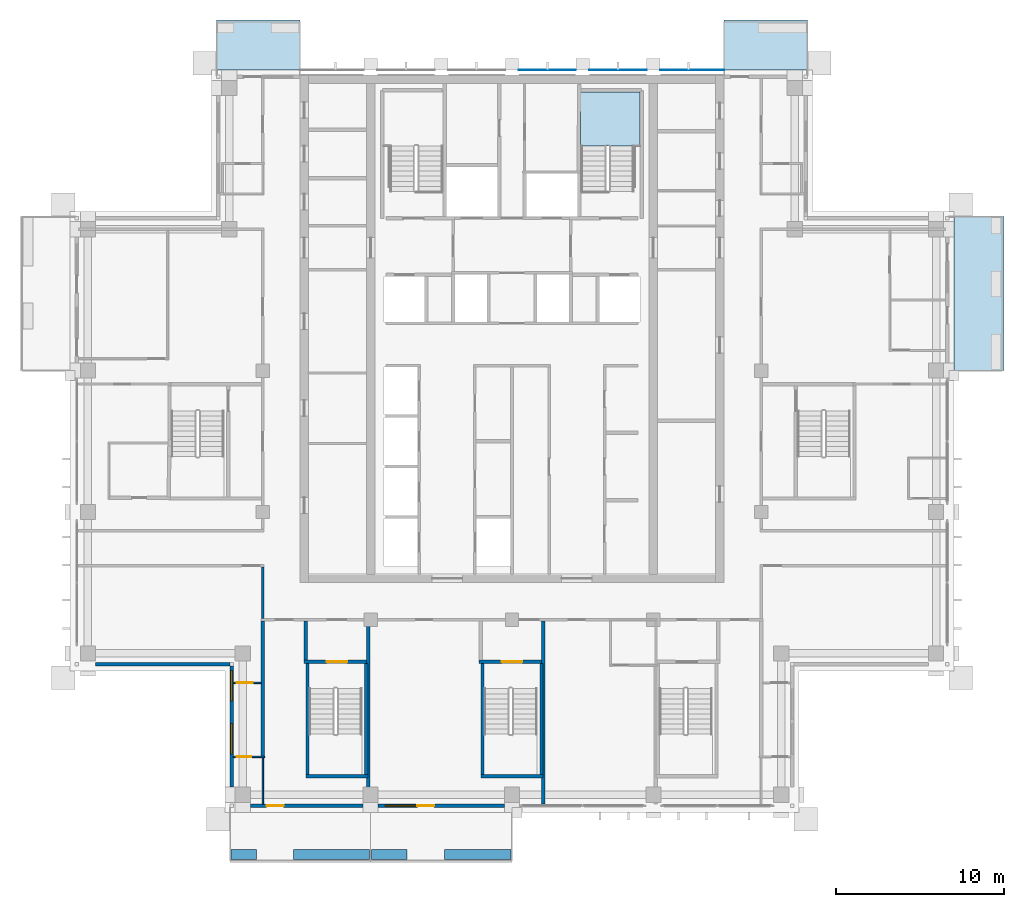
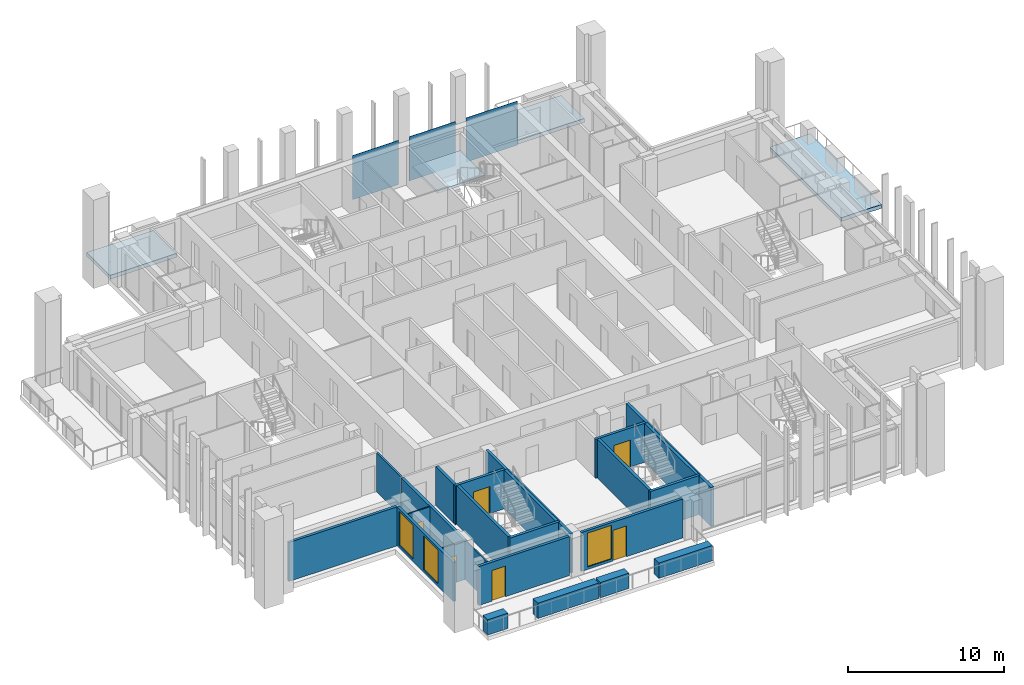
# One storey, part 6 of 16: 24 walls, 6 doors, 4 slabs, 3 plates, 3 windows, 9 openings, 1 element without a shape of its own.
"""IFC4 building model written with IfcOpenShell, lengths in metres."""

from ifc_helpers import new_model, si_unit, direction, frame, frame_2d, origin, origin_2d, place, context, subcontext, project, spatial, polyline, rectangle, outline, extrude, material, layer, layer_set, type_object, element, fill, aggregate, save


model = new_model("IFC4")

# Units and contexts
model_context = context("Model", 3, precision=1e-05, world=origin(), true_north=direction((0.0, 1.0)))
body_context = subcontext(model_context, "Body", "Model", "MODEL_VIEW")
ifc_project = project(units=[si_unit("LENGTHUNIT", "METRE"), si_unit("AREAUNIT", "SQUARE_METRE"), si_unit("VOLUMEUNIT", "CUBIC_METRE"), si_unit("PLANEANGLEUNIT", "RADIAN"), si_unit("MASSUNIT", "GRAM", prefix="KILO")], contexts=[model_context])

# Site, building, storey
site_placement = place(None, origin())
site = spatial("IfcSite", under=ifc_project, at=site_placement, CompositionType="ELEMENT")
building_placement = place(site_placement, origin())
building = spatial("IfcBuilding", under=site, at=building_placement, Name="Vermilion Ogive Tower", CompositionType="ELEMENT")
storey_placement = place(building_placement, frame((0.0, 0.0, 233.800048828125)))
storey = spatial("IfcBuildingStorey", under=building, at=storey_placement, Name="L61", CompositionType="ELEMENT", Elevation=233.800048828125)

# Slabs
ifc_material_1 = material(Name="Concrete B40", Category="concrete")
ifc_layer_1 = layer(ifc_material_1, 0.300048828125)
ifc_layer_set_1 = layer_set([ifc_layer_1], Name="Balcony slab")
slab_type_1 = type_object("IfcSlabType", Name="Balcony slab", PredefinedType="FLOOR", material=ifc_layer_set_1)
slab_1_placement = place(storey_placement, frame((0.0, 0.0, -0.340087890625)))
element("IfcSlab", 1, at=slab_1_placement, inside=storey, type_object=slab_type_1, Name="Balcony slab E03", PredefinedType="FLOOR", context=body_context, shape_type="SweptSolid", body=[
    extrude(outline(polyline([(29.22998046875, 4.199951171875), (29.22998046875, 13.35009765625), (26.25, 13.35009765625), (26.25, 4.199951171875), (29.22998046875, 4.199951171875)])), origin(), (0.0, 0.0, 1.0), 0.300048828125),
])
slab_2_placement = place(storey_placement, frame((0.0, 0.0, -0.340087890625)))
element("IfcSlab", 2, at=slab_2_placement, inside=storey, type_object=slab_type_1, Name="Balcony slab N101", PredefinedType="FLOOR", context=body_context, shape_type="SweptSolid", body=[
    extrude(outline(polyline([(17.550048828125, 25.030029296875), (12.60009765625, 25.030029296875), (12.60009765625, 22.050048828125), (17.550048828125, 22.050048828125), (17.550048828125, 25.030029296875)])), origin(), (0.0, 0.0, 1.0), 0.300048828125),
])
slab_3_placement = place(storey_placement, frame((0.0, 0.0, -0.340087890625)))
element("IfcSlab", 3, at=slab_3_placement, inside=storey, type_object=slab_type_1, Name="Balcony slab N201", PredefinedType="FLOOR", context=body_context, shape_type="SweptSolid", body=[
    extrude(outline(polyline([(-12.60009765625, 25.030029296875), (-17.550048828125, 25.030029296875), (-17.550048828125, 22.050048828125), (-12.60009765625, 22.050048828125), (-12.60009765625, 25.030029296875)])), origin(), (0.0, 0.0, 1.0), 0.300048828125),
])

# Plates
ifc_material_2 = material(Name="Low-iron laminated glazing in aluminium frame", Category="aluminium")
ifc_layer_2 = layer(ifc_material_2, 0.031982421875)
ifc_layer_set_2 = layer_set([ifc_layer_2], Name="Glazed rainscreen sheet 32")
plate_type = type_object("IfcPlateType", Name="Glazed rainscreen sheet 32", PredefinedType="SHEET", material=ifc_layer_set_2)
for number, where, z_axis, x_axis, name in (
    (4, (2.10009765625, 22.06591796875, -0.39990234375), (0.0, 0.0, 1.0), (1.0, 0.0, 0.0), "Glazed rainscreen sheet N4"),
    (5, (6.300048828125, 22.06591796875, -0.39990234375), (0.0, 0.0, 1.0), (1.0, 0.0, 0.0), "Glazed rainscreen sheet N5"),
):
    element("IfcPlate", number, at=place(storey_placement, frame(where, z_axis=z_axis, x_axis=x_axis)), inside=storey, type_object=plate_type, Name=name, PredefinedType="SHEET", context=body_context, shape_type="SweptSolid", body=[
        extrude(rectangle(XDim=3.39990234375, YDim=0.031982421875, at=origin_2d()), origin(), (0.0, 0.0, 1.0), 3.449951171875),
    ])
plate_placement = place(storey_placement, frame((10.7099609375, 22.06591796875, -0.39990234375), z_axis=(0.0, 0.0, 1.0), x_axis=(1.0, 0.0, 0.0)))
element("IfcPlate", 6, at=plate_placement, inside=storey, type_object=plate_type, Name="Glazed rainscreen sheet N6", PredefinedType="SHEET", context=body_context, shape_type="SweptSolid", body=[
    extrude(rectangle(XDim=3.820068359375, YDim=0.031982421875, at=origin_2d()), origin(), (0.0, 0.0, 1.0), 3.449951171875),
])

# Stair, slab
ifc_material_3 = material(Name="Concrete B40", Category="concrete")
stair_type = type_object("IfcStairType", Name="Exit stair 1500", PredefinedType="HALF_TURN_STAIR", material=ifc_material_3)
stair_placement = place(storey_placement, origin())
stair = element("IfcStair", 7, at=stair_placement, inside=storey, type_object=stair_type, Name="L61 Exit Stair ST2", PredefinedType="HALF_TURN_STAIR")
ifc_material_4 = material(Name="Concrete B40", Category="concrete")
ifc_layer_3 = layer(ifc_material_4, 0.199951171875)
ifc_layer_set_3 = layer_set([ifc_layer_3], Name="Stair landing 200")
slab_type_2 = type_object("IfcSlabType", Name="Stair landing 200", PredefinedType="LANDING", material=ifc_layer_set_3)
slab_4_placement = place(storey_placement, frame((0.0, 0.0, 1.52490234375)))
slab_4 = element("IfcSlab", 8, at=slab_4_placement, type_object=slab_type_2, Name="ST2 landing 1", PredefinedType="LANDING", context=body_context, shape_type="SweptSolid", body=[
    extrude(outline(polyline([(5.60009765625, 17.550048828125), (5.75, 17.550048828125), (5.75, 17.548095703125), (7.25, 17.548095703125), (7.25, 17.550048828125), (7.60009765625, 17.550048828125), (7.60009765625, 20.75), (4.074951171875, 20.75), (4.074951171875, 17.550048828125), (4.10009765625, 17.550048828125), (4.10009765625, 17.548095703125), (5.60009765625, 17.548095703125), (5.60009765625, 17.550048828125)])), origin(), (0.0, 0.0, 1.0), 0.199951171875),
])
aggregate(stair, [slab_4])

# Wall, opening, door
ifc_material_5 = material(Name="Gypsum board partition on steel studs", Category="steel")
ifc_layer_4 = layer(ifc_material_5, 0.10009765625)
ifc_layer_set_4 = layer_set([ifc_layer_4], Name="Partition 100 bath")
wall_type_1 = type_object("IfcWallType", Name="Partition 100 bath", PredefinedType="PARTITIONING", material=ifc_layer_set_4)
wall_1_placement = place(storey_placement, frame((-16.550048828125, -18.75, 0.0), z_axis=(0.0, 0.0, 1.0), x_axis=(1.0, 0.0, 0.0)))
wall_1 = element("IfcWall", 9, at=wall_1_placement, inside=storey, type_object=wall_type_1, Name="L61-W-W004", PredefinedType="PARTITIONING", context=body_context, shape_type="SweptSolid", body=[
    extrude(rectangle(XDim=1.85009765625, YDim=0.10009765625, at=frame_2d((0.925048828125, 0.0))), origin(), (0.0, 0.0, 1.0), 3.050048828125),
])
opening_1_placement = place(wall_1_placement, frame((0.199951171875, 0.0, 0.0)))
opening_1 = element("IfcOpeningElement", 10, at=opening_1_placement, cuts=wall_1, Name="Opening D5G2003", PredefinedType="OPENING", context=body_context, shape_type="SweptSolid", body=[
    extrude(rectangle(XDim=0.85009765625, YDim=2.10009765625, at=frame_2d((0.425048828125, 1.050048828125))), frame((0.0, 0.06005859375, 0.0), z_axis=(0.0, -1.0, 0.0), x_axis=(1.0, 0.0, 0.0)), (0.0, 0.0, 1.0), 0.1201171875),
])
ifc_material_6 = material(Name="Timber door leaf", Category="wood")
door_type_1 = type_object("IfcDoorType", Name="Bath door 850 x 2100 FD30", OperationType="SINGLE_SWING_LEFT", PredefinedType="DOOR", material=ifc_material_6)
door_1_placement = place(opening_1_placement, origin())
door_1 = element("IfcDoor", 11, at=door_1_placement, inside=storey, type_object=door_type_1, Name="L61-D-D003", OperationType="SINGLE_SWING_RIGHT", OverallHeight=2.10009765625, OverallWidth=0.85009765625, PredefinedType="DOOR", context=body_context, shape_type="SweptSolid", body=[
    extrude(rectangle(XDim=0.85009765625, YDim=2.10009765625, at=frame_2d((0.425048828125, 1.050048828125))), frame((0.0, 0.02490234375, 0.0), z_axis=(0.0, -1.0, 0.0), x_axis=(1.0, 0.0, 0.0)), (0.0, 0.0, 1.0), 0.050048828125),
])
fill(opening_1, door_1)

# Wall
wall_2_placement = place(storey_placement, frame((-14.800048828125, -21.550048828125, 0.0), z_axis=(0.0, 0.0, 1.0), x_axis=(0.0, 1.0, 0.0)))
element("IfcWall", 12, at=wall_2_placement, inside=storey, type_object=wall_type_1, Name="L61-W-W046", PredefinedType="PARTITIONING", context=body_context, shape_type="SweptSolid", body=[
    extrude(rectangle(XDim=2.75, YDim=0.10009765625, at=frame_2d((1.375, 0.0))), origin(), (0.0, 0.0, 1.0), 3.050048828125),
])

# Wall, opening, door
ifc_material_7 = material(Name="Gypsum board partition on steel studs", Category="steel")
ifc_layer_5 = layer(ifc_material_7, 0.10009765625)
ifc_layer_set_5 = layer_set([ifc_layer_5], Name="Partition 100 inner")
wall_type_2 = type_object("IfcWallType", Name="Partition 100 inner", PredefinedType="PARTITIONING", material=ifc_layer_set_5)
wall_3_placement = place(storey_placement, frame((-16.550048828125, -14.349853515625, 0.0), z_axis=(0.0, 0.0, 1.0), x_axis=(1.0, 0.0, 0.0)))
wall_3 = element("IfcWall", 13, at=wall_3_placement, inside=storey, type_object=wall_type_2, Name="L61-W-W006", PredefinedType="PARTITIONING", context=body_context, shape_type="SweptSolid", body=[
    extrude(rectangle(XDim=1.650146484375, YDim=0.10009765625, at=frame_2d((0.8251953125, 0.0))), origin(), (0.0, 0.0, 1.0), 3.050048828125),
])
opening_2_placement = place(wall_3_placement, frame((0.199951171875, 0.0, 0.0)))
opening_2 = element("IfcOpeningElement", 14, at=opening_2_placement, cuts=wall_3, Name="Opening D5G2002", PredefinedType="OPENING", context=body_context, shape_type="SweptSolid", body=[
    extrude(rectangle(XDim=0.949951171875, YDim=2.10009765625, at=frame_2d((0.47509765625, 1.050048828125))), frame((0.0, 0.06005859375, 0.0), z_axis=(0.0, -1.0, 0.0), x_axis=(1.0, 0.0, 0.0)), (0.0, 0.0, 1.0), 0.1201171875),
])
ifc_material_8 = material(Name="Timber door leaf", Category="wood")
door_type_2 = type_object("IfcDoorType", Name="Inner door 950 x 2100 FD30", OperationType="SINGLE_SWING_LEFT", PredefinedType="DOOR", material=ifc_material_8)
door_2_placement = place(opening_2_placement, origin())
door_2 = element("IfcDoor", 15, at=door_2_placement, inside=storey, type_object=door_type_2, Name="L61-D-D002", OperationType="SINGLE_SWING_RIGHT", OverallHeight=2.10009765625, OverallWidth=0.949951171875, PredefinedType="DOOR", context=body_context, shape_type="SweptSolid", body=[
    extrude(rectangle(XDim=0.949951171875, YDim=2.10009765625, at=frame_2d((0.47509765625, 1.050048828125))), frame((0.0, 0.02490234375, 0.0), z_axis=(0.0, -1.0, 0.0), x_axis=(1.0, 0.0, 0.0)), (0.0, 0.0, 1.0), 0.050048828125),
])
fill(opening_2, door_2)

# Walls
ifc_material_9 = material(Name="Gypsum board partition on steel studs", Category="steel")
ifc_layer_6 = layer(ifc_material_9, 0.14990234375)
ifc_layer_set_6 = layer_set([ifc_layer_6], Name="Partition 150 corridor")
wall_type_3 = type_object("IfcWallType", Name="Partition 150 corridor", PredefinedType="PARTITIONING", material=ifc_layer_set_6)
wall_4_placement = place(storey_placement, frame((-14.800048828125, -10.52490234375, 0.0), z_axis=(0.0, 0.0, 1.0), x_axis=(0.0, 1.0, 0.0)))
element("IfcWall", 16, at=wall_4_placement, inside=storey, type_object=wall_type_3, Name="L61-W-W048", PredefinedType="PARTITIONING", context=body_context, shape_type="SweptSolid", body=[
    extrude(rectangle(XDim=3.0498046875, YDim=0.14990234375, at=frame_2d((1.52490234375, 0.0))), origin(), (0.0, 0.0, 1.0), 3.050048828125),
])
ifc_material_10 = material(Name="Gypsum board partition on steel studs", Category="steel")
ifc_layer_7 = layer(ifc_material_10, 0.199951171875)
ifc_layer_set_7 = layer_set([ifc_layer_7], Name="Partition 200 party")
wall_type_4 = type_object("IfcWallType", Name="Partition 200 party", PredefinedType="PARTITIONING", material=ifc_layer_set_7)
wall_5_placement = place(storey_placement, frame((-14.800048828125, -18.699951171875, 0.0), z_axis=(0.0, 0.0, 1.0), x_axis=(0.0, 1.0, 0.0)))
element("IfcWall", 17, at=wall_5_placement, inside=storey, type_object=wall_type_4, Name="L61-W-W047", PredefinedType="PARTITIONING", context=body_context, shape_type="SweptSolid", body=[
    extrude(rectangle(XDim=8.02490234375, YDim=0.199951171875, at=frame_2d((4.012451171875, 0.0))), origin(), (0.0, 0.0, 1.0), 3.050048828125),
])
wall_6_placement = place(storey_placement, frame((-12.25, -12.998046875, 0.0), z_axis=(0.0, 0.0, 1.0), x_axis=(0.0, 1.0, 0.0)))
element("IfcWall", 18, at=wall_6_placement, inside=storey, type_object=wall_type_4, Name="L61-W-W052", PredefinedType="PARTITIONING", context=body_context, shape_type="SweptSolid", body=[
    extrude(rectangle(XDim=2.322998046875, YDim=0.199951171875, at=frame_2d((1.16162109375, 0.0))), origin(), (0.0, 0.0, 1.0), 3.050048828125),
])
ifc_material_11 = material(Name="Concrete B60", Category="concrete")
ifc_layer_8 = layer(ifc_material_11, 0.199951171875)
ifc_layer_set_8 = layer_set([ifc_layer_8], Name="Stair shaft wall 200 Concrete B60")
wall_type_5 = type_object("IfcWallType", Name="Stair shaft wall 200 Concrete B60", PredefinedType="SOLIDWALL", material=ifc_layer_set_8)
wall_7_placement = place(storey_placement, frame((-12.248046875, -19.89990234375, 0.0), z_axis=(0.0, 0.0, 1.0), x_axis=(1.0, 0.0, 0.0)))
element("IfcWall", 19, at=wall_7_placement, inside=storey, type_object=wall_type_5, Name="L61-W-W001", PredefinedType="SOLIDWALL", context=body_context, shape_type="SweptSolid", body=[
    extrude(rectangle(XDim=3.696044921875, YDim=0.199951171875, at=frame_2d((1.84814453125, 0.0))), origin(), (0.0, 0.0, 1.0), 3.050048828125),
])
wall_8_placement = place(storey_placement, frame((-1.847900390625, -19.89990234375, 0.0), z_axis=(0.0, 0.0, 1.0), x_axis=(1.0, 0.0, 0.0)))
element("IfcWall", 20, at=wall_8_placement, inside=storey, type_object=wall_type_5, Name="L61-W-W002", PredefinedType="SOLIDWALL", context=body_context, shape_type="SweptSolid", body=[
    extrude(rectangle(XDim=3.69580078125, YDim=0.199951171875, at=frame_2d((1.847900390625, 0.0))), origin(), (0.0, 0.0, 1.0), 3.050048828125),
])

# Wall, opening, door
wall_9_placement = place(storey_placement, frame((-12.347900390625, -13.10009765625, 0.0), z_axis=(0.0, 0.0, 1.0), x_axis=(1.0, 0.0, 0.0)))
wall_9 = element("IfcWall", 21, at=wall_9_placement, inside=storey, type_object=wall_type_5, Name="L61-W-W009", PredefinedType="SOLIDWALL", context=body_context, shape_type="SweptSolid", body=[
    extrude(rectangle(XDim=3.69580078125, YDim=0.199951171875, at=frame_2d((1.847900390625, 0.0))), origin(), (0.0, 0.0, 1.0), 3.050048828125),
])
opening_3_placement = place(wall_9_placement, frame((1.347900390625, 0.0, 0.0)))
opening_3 = element("IfcOpeningElement", 22, at=opening_3_placement, cuts=wall_9, Name="Opening D5G2024", PredefinedType="OPENING", context=body_context, shape_type="SweptSolid", body=[
    extrude(rectangle(XDim=1.199951171875, YDim=2.10009765625, at=frame_2d((0.60009765625, 1.050048828125))), frame((0.0, 0.10986328125, 0.0), z_axis=(0.0, -1.0, 0.0), x_axis=(1.0, 0.0, 0.0)), (0.0, 0.0, 1.0), 0.219970703125),
])
ifc_material_12 = material(Name="Timber door leaf", Category="wood")
door_type_3 = type_object("IfcDoorType", Name="Stair door 1200 x 2100 FD60S", OperationType="SINGLE_SWING_LEFT", PredefinedType="DOOR", material=ifc_material_12)
door_3_placement = place(opening_3_placement, origin())
door_3 = element("IfcDoor", 23, at=door_3_placement, inside=storey, type_object=door_type_3, Name="L61-D-D024", OperationType="SINGLE_SWING_RIGHT", OverallHeight=2.10009765625, OverallWidth=1.199951171875, PredefinedType="DOOR", context=body_context, shape_type="SweptSolid", body=[
    extrude(rectangle(XDim=1.199951171875, YDim=2.10009765625, at=frame_2d((0.60009765625, 1.050048828125))), frame((0.0, 0.02490234375, 0.0), z_axis=(0.0, -1.0, 0.0), x_axis=(1.0, 0.0, 0.0)), (0.0, 0.0, 1.0), 0.050048828125),
])
fill(opening_3, door_3)

wall_10_placement = place(storey_placement, frame((-1.947998046875, -13.10009765625, 0.0), z_axis=(0.0, 0.0, 1.0), x_axis=(1.0, 0.0, 0.0)))
wall_10 = element("IfcWall", 24, at=wall_10_placement, inside=storey, type_object=wall_type_5, Name="L61-W-W010", PredefinedType="SOLIDWALL", context=body_context, shape_type="SweptSolid", body=[
    extrude(rectangle(XDim=3.696044921875, YDim=0.199951171875, at=frame_2d((1.84814453125, 0.0))), origin(), (0.0, 0.0, 1.0), 3.050048828125),
])
opening_4_placement = place(wall_10_placement, frame((1.347900390625, 0.0, 0.0)))
opening_4 = element("IfcOpeningElement", 25, at=opening_4_placement, cuts=wall_10, Name="Opening D5G2026", PredefinedType="OPENING", context=body_context, shape_type="SweptSolid", body=[
    extrude(rectangle(XDim=1.199951171875, YDim=2.10009765625, at=frame_2d((0.60009765625, 1.050048828125))), frame((0.0, 0.10986328125, 0.0), z_axis=(0.0, -1.0, 0.0), x_axis=(1.0, 0.0, 0.0)), (0.0, 0.0, 1.0), 0.219970703125),
])
door_4_placement = place(opening_4_placement, origin())
door_4 = element("IfcDoor", 26, at=door_4_placement, inside=storey, type_object=door_type_3, Name="L61-D-D026", OperationType="SINGLE_SWING_RIGHT", OverallHeight=2.10009765625, OverallWidth=1.199951171875, PredefinedType="DOOR", context=body_context, shape_type="SweptSolid", body=[
    extrude(rectangle(XDim=1.199951171875, YDim=2.10009765625, at=frame_2d((0.60009765625, 1.050048828125))), frame((0.0, 0.02490234375, 0.0), z_axis=(0.0, -1.0, 0.0), x_axis=(1.0, 0.0, 0.0)), (0.0, 0.0, 1.0), 0.050048828125),
])
fill(opening_4, door_4)

# Walls
for number, where, z_axis, x_axis, name in (
    (27, (-12.14990234375, -19.798095703125, 0.0), (0.0, 0.0, 1.0), (0.0, 1.0, 0.0), "L61-W-W053"),
    (28, (-8.64990234375, -19.798095703125, 0.0), (0.0, 0.0, 1.0), (0.0, 1.0, 0.0), "L61-W-W054"),
    (29, (-1.75, -19.798095703125, 0.0), (0.0, 0.0, 1.0), (0.0, 1.0, 0.0), "L61-W-W057"),
    (30, (1.75, -19.798095703125, 0.0), (0.0, 0.0, 1.0), (0.0, 1.0, 0.0), "L61-W-W058"),
):
    element("IfcWall", number, at=place(storey_placement, frame(where, z_axis=z_axis, x_axis=x_axis)), inside=storey, type_object=wall_type_5, Name=name, PredefinedType="SOLIDWALL", context=body_context, shape_type="SweptSolid", body=[
        extrude(rectangle(XDim=6.59619140625, YDim=0.199951171875, at=frame_2d((3.298095703125, 0.0))), origin(), (0.0, 0.0, 1.0), 3.050048828125),
    ])
for number, where, z_axis, x_axis, name in (
    (31, (-8.550048828125, -21.550048828125, 0.0), (0.0, 0.0, 1.0), (0.0, 1.0, 0.0), "L61-W-W055-A"),
    (32, (1.85009765625, -21.550048828125, 0.0), (0.0, 0.0, 1.0), (0.0, 1.0, 0.0), "L61-W-W059-A"),
):
    element("IfcWall", number, at=place(storey_placement, frame(where, z_axis=z_axis, x_axis=x_axis)), inside=storey, type_object=wall_type_5, Name=name, PredefinedType="SOLIDWALL", context=body_context, shape_type="SweptSolid", body=[
        extrude(rectangle(XDim=10.875, YDim=0.199951171875, at=frame_2d((5.4375, 0.0))), origin(), (0.0, 0.0, 1.0), 3.050048828125),
    ])
ifc_material_13 = material(Name="Concrete B40", Category="concrete")
ifc_layer_9 = layer(ifc_material_13, 0.60009765625)
ifc_layer_set_9 = layer_set([ifc_layer_9], Name="Structural planter")
wall_type_6 = type_object("IfcWallType", Name="Structural planter", PredefinedType="USERDEFINED", material=ifc_layer_set_9)
wall_11_placement = place(storey_placement, frame((-16.68994140625, -24.550048828125, -0.0400390625), z_axis=(0.0, 0.0, 1.0), x_axis=(1.0, 0.0, 0.0)))
element("IfcWall", 33, at=wall_11_placement, inside=storey, type_object=wall_type_6, Name="Planter S01A1", ObjectType="PLANTER", PredefinedType="USERDEFINED", context=body_context, shape_type="SweptSolid", body=[
    extrude(rectangle(XDim=1.514892578125, YDim=0.60009765625, at=frame_2d((0.75732421875, 0.0))), origin(), (0.0, 0.0, 1.0), 1.199951171875),
])
wall_12_placement = place(storey_placement, frame((-12.97509765625, -24.550048828125, -0.0400390625), z_axis=(0.0, 0.0, 1.0), x_axis=(1.0, 0.0, 0.0)))
element("IfcWall", 34, at=wall_12_placement, inside=storey, type_object=wall_type_6, Name="Planter S01A2", ObjectType="PLANTER", PredefinedType="USERDEFINED", context=body_context, shape_type="SweptSolid", body=[
    extrude(rectangle(XDim=4.51513671875, YDim=0.60009765625, at=frame_2d((2.257568359375, 0.0))), origin(), (0.0, 0.0, 1.0), 1.199951171875),
])
wall_13_placement = place(storey_placement, frame((-8.340087890625, -24.550048828125, -0.0400390625), z_axis=(0.0, 0.0, 1.0), x_axis=(1.0, 0.0, 0.0)))
element("IfcWall", 35, at=wall_13_placement, inside=storey, type_object=wall_type_6, Name="Planter S02A1", ObjectType="PLANTER", PredefinedType="USERDEFINED", context=body_context, shape_type="SweptSolid", body=[
    extrude(rectangle(XDim=2.114990234375, YDim=0.60009765625, at=frame_2d((1.0576171875, 0.0))), origin(), (0.0, 0.0, 1.0), 1.199951171875),
])
wall_14_placement = place(storey_placement, frame((-4.02490234375, -24.550048828125, -0.0400390625), z_axis=(0.0, 0.0, 1.0), x_axis=(1.0, 0.0, 0.0)))
element("IfcWall", 36, at=wall_14_placement, inside=storey, type_object=wall_type_6, Name="Planter S02A2", ObjectType="PLANTER", PredefinedType="USERDEFINED", context=body_context, shape_type="SweptSolid", body=[
    extrude(rectangle(XDim=3.96484375, YDim=0.60009765625, at=frame_2d((1.982421875, 0.0))), origin(), (0.0, 0.0, 1.0), 1.199951171875),
])

# Wall, opening, door
ifc_material_14 = material(Name="Aluminium window wall framing", Category="aluminium")
ifc_layer_10 = layer(ifc_material_14, 0.199951171875)
ifc_layer_set_10 = layer_set([ifc_layer_10], Name="Window wall")
wall_type_7 = type_object("IfcWallType", Name="Window wall", PredefinedType="STANDARD", material=ifc_layer_set_10)
wall_15_placement = place(storey_placement, frame((-15.550048828125, -21.64990234375, 0.0), z_axis=(0.0, 0.0, 1.0), x_axis=(1.0, 0.0, 0.0)))
wall_15 = element("IfcWall", 37, at=wall_15_placement, inside=storey, type_object=wall_type_7, Name="Window wall S1", PredefinedType="STANDARD", context=body_context, shape_type="SweptSolid", body=[
    extrude(rectangle(XDim=6.699951171875, YDim=0.199951171875, at=frame_2d((3.35009765625, 0.0))), origin(), (0.0, 0.0, 1.0), 3.050048828125),
])
opening_5_placement = place(wall_15_placement, frame((0.97509765625, 0.0, 0.0)))
opening_5 = element("IfcOpeningElement", 38, at=opening_5_placement, cuts=wall_15, Name="Opening D1-S96K", PredefinedType="OPENING", context=body_context, shape_type="SweptSolid", body=[
    extrude(rectangle(XDim=1.0, YDim=2.39990234375, at=frame_2d((0.5, 1.199951171875))), frame((0.0, 0.10986328125, 0.0), z_axis=(0.0, -1.0, 0.0), x_axis=(1.0, 0.0, 0.0)), (0.0, 0.0, 1.0), 0.219970703125),
])
ifc_material_15 = material(Name="Aluminium framed glazed door", Category="aluminium")
door_type_4 = type_object("IfcDoorType", Name="Balcony door D1", OperationType="SINGLE_SWING_LEFT", PredefinedType="DOOR", material=ifc_material_15)
door_5_placement = place(opening_5_placement, origin())
door_5 = element("IfcDoor", 39, at=door_5_placement, inside=storey, type_object=door_type_4, Name="Balcony door S96K", OperationType="SINGLE_SWING_LEFT", OverallHeight=2.39990234375, OverallWidth=1.0, PredefinedType="DOOR", context=body_context, shape_type="SweptSolid", body=[
    extrude(rectangle(XDim=1.0, YDim=2.39990234375, at=frame_2d((0.5, 1.199951171875))), frame((0.0, 0.02490234375, 0.0), z_axis=(0.0, -1.0, 0.0), x_axis=(1.0, 0.0, 0.0)), (0.0, 0.0, 1.0), 0.050048828125),
])
fill(opening_5, door_5)

# Wall, openings, door, window
wall_16_placement = place(storey_placement, frame((-7.949951171875, -21.64990234375, 0.0), z_axis=(0.0, 0.0, 1.0), x_axis=(1.0, 0.0, 0.0)))
wall_16 = element("IfcWall", 40, at=wall_16_placement, inside=storey, type_object=wall_type_7, Name="Window wall S2", PredefinedType="STANDARD", context=body_context, shape_type="SweptSolid", body=[
    extrude(rectangle(XDim=7.5, YDim=0.199951171875, at=frame_2d((3.75, 0.0))), origin(), (0.0, 0.0, 1.0), 3.050048828125),
])
opening_6_placement = place(wall_16_placement, frame((0.425048828125, 0.0, 0.199951171875)))
opening_6 = element("IfcOpeningElement", 41, at=opening_6_placement, cuts=wall_16, Name="Opening W1-S98", PredefinedType="OPENING", context=body_context, shape_type="SweptSolid", body=[
    extrude(rectangle(XDim=1.800048828125, YDim=2.64990234375, at=frame_2d((0.89990234375, 1.324951171875))), frame((0.0, 0.10986328125, 0.0), z_axis=(0.0, -1.0, 0.0), x_axis=(1.0, 0.0, 0.0)), (0.0, 0.0, 1.0), 0.219970703125),
])
opening_7_placement = place(wall_16_placement, frame((2.324951171875, 0.0, 0.0)))
opening_7 = element("IfcOpeningElement", 42, at=opening_7_placement, cuts=wall_16, Name="Opening D1-S98", PredefinedType="OPENING", context=body_context, shape_type="SweptSolid", body=[
    extrude(rectangle(XDim=1.0, YDim=2.39990234375, at=frame_2d((0.5, 1.199951171875))), frame((0.0, 0.10986328125, 0.0), z_axis=(0.0, -1.0, 0.0), x_axis=(1.0, 0.0, 0.0)), (0.0, 0.0, 1.0), 0.219970703125),
])
door_6_placement = place(opening_7_placement, origin())
door_6 = element("IfcDoor", 43, at=door_6_placement, inside=storey, type_object=door_type_4, Name="Balcony door S98", OperationType="SINGLE_SWING_LEFT", OverallHeight=2.39990234375, OverallWidth=1.0, PredefinedType="DOOR", context=body_context, shape_type="SweptSolid", body=[
    extrude(rectangle(XDim=1.0, YDim=2.39990234375, at=frame_2d((0.5, 1.199951171875))), frame((0.0, 0.02490234375, 0.0), z_axis=(0.0, -1.0, 0.0), x_axis=(1.0, 0.0, 0.0)), (0.0, 0.0, 1.0), 0.050048828125),
])
fill(opening_7, door_6)
ifc_material_16 = material(Name="Aluminium framed double glazing", Category="aluminium")
window_type = type_object("IfcWindowType", Name="Guest window W1", PartitioningType="SINGLE_PANEL", PredefinedType="WINDOW", material=ifc_material_16)
window_1_placement = place(opening_6_placement, origin())
window_1 = element("IfcWindow", 44, at=window_1_placement, inside=storey, type_object=window_type, Name="Window S98", OverallHeight=2.64990234375, OverallWidth=1.800048828125, PartitioningType="SINGLE_PANEL", PredefinedType="WINDOW", context=body_context, shape_type="SweptSolid", body=[
    extrude(rectangle(XDim=1.800048828125, YDim=2.64990234375, at=frame_2d((0.89990234375, 1.324951171875))), frame((0.0, 0.030029296875, 0.0), z_axis=(0.0, -1.0, 0.0), x_axis=(1.0, 0.0, 0.0)), (0.0, 0.0, 1.0), 0.06005859375),
])
fill(opening_6, window_1)

# Wall
wall_17_placement = place(storey_placement, frame((-24.75, -13.25, 0.0), z_axis=(0.0, 0.0, 1.0), x_axis=(1.0, 0.0, 0.0)))
element("IfcWall", 45, at=wall_17_placement, inside=storey, type_object=wall_type_7, Name="Window wall X71", PredefinedType="STANDARD", context=body_context, shape_type="SweptSolid", body=[
    extrude(rectangle(XDim=8.0, YDim=0.199951171875, at=frame_2d((4.0, 0.0))), origin(), (0.0, 0.0, 1.0), 3.050048828125),
])

# Wall, openings, windows
wall_18_placement = place(storey_placement, frame((-16.64990234375, -13.35009765625, 0.0), z_axis=(0.0, 0.0, 1.0), x_axis=(0.0, -1.0, 0.0)))
wall_18 = element("IfcWall", 46, at=wall_18_placement, inside=storey, type_object=wall_type_7, Name="Window wall X81", PredefinedType="STANDARD", context=body_context, shape_type="SweptSolid", body=[
    extrude(rectangle(XDim=7.199951171875, YDim=0.199951171875, at=frame_2d((3.60009765625, 0.0))), origin(), (0.0, 0.0, 1.0), 3.050048828125),
])
opening_8_placement = place(wall_18_placement, frame((3.419921875, 0.0, 0.199951171875)))
opening_8 = element("IfcOpeningElement", 47, at=opening_8_placement, cuts=wall_18, Name="Opening W1-X895", PredefinedType="OPENING", context=body_context, shape_type="SweptSolid", body=[
    extrude(rectangle(XDim=1.800048828125, YDim=2.64990234375, at=frame_2d((0.89990234375, 1.324951171875))), frame((0.0, 0.10986328125, 0.0), z_axis=(0.0, -1.0, 0.0), x_axis=(1.0, 0.0, 0.0)), (0.0, 0.0, 1.0), 0.219970703125),
])
opening_9_placement = place(wall_18_placement, frame((0.27490234375, 0.0, 0.199951171875)))
opening_9 = element("IfcOpeningElement", 48, at=opening_9_placement, cuts=wall_18, Name="Opening W1-X896", PredefinedType="OPENING", context=body_context, shape_type="SweptSolid", body=[
    extrude(rectangle(XDim=1.800048828125, YDim=2.64990234375, at=frame_2d((0.89990234375, 1.324951171875))), frame((0.0, 0.10986328125, 0.0), z_axis=(0.0, -1.0, 0.0), x_axis=(1.0, 0.0, 0.0)), (0.0, 0.0, 1.0), 0.219970703125),
])
window_2_placement = place(opening_8_placement, origin())
window_2 = element("IfcWindow", 49, at=window_2_placement, inside=storey, type_object=window_type, Name="Window X895", OverallHeight=2.64990234375, OverallWidth=1.800048828125, PartitioningType="SINGLE_PANEL", PredefinedType="WINDOW", context=body_context, shape_type="SweptSolid", body=[
    extrude(rectangle(XDim=1.800048828125, YDim=2.64990234375, at=frame_2d((0.89990234375, 1.324951171875))), frame((0.0, 0.030029296875, 0.0), z_axis=(0.0, -1.0, 0.0), x_axis=(1.0, 0.0, 0.0)), (0.0, 0.0, 1.0), 0.06005859375),
])
fill(opening_8, window_2)
window_3_placement = place(opening_9_placement, origin())
window_3 = element("IfcWindow", 50, at=window_3_placement, inside=storey, type_object=window_type, Name="Window X896", OverallHeight=2.64990234375, OverallWidth=1.800048828125, PartitioningType="SINGLE_PANEL", PredefinedType="WINDOW", context=body_context, shape_type="SweptSolid", body=[
    extrude(rectangle(XDim=1.800048828125, YDim=2.64990234375, at=frame_2d((0.89990234375, 1.324951171875))), frame((0.0, 0.030029296875, 0.0), z_axis=(0.0, -1.0, 0.0), x_axis=(1.0, 0.0, 0.0)), (0.0, 0.0, 1.0), 0.06005859375),
])
fill(opening_9, window_3)

save(model, "model.ifc")
